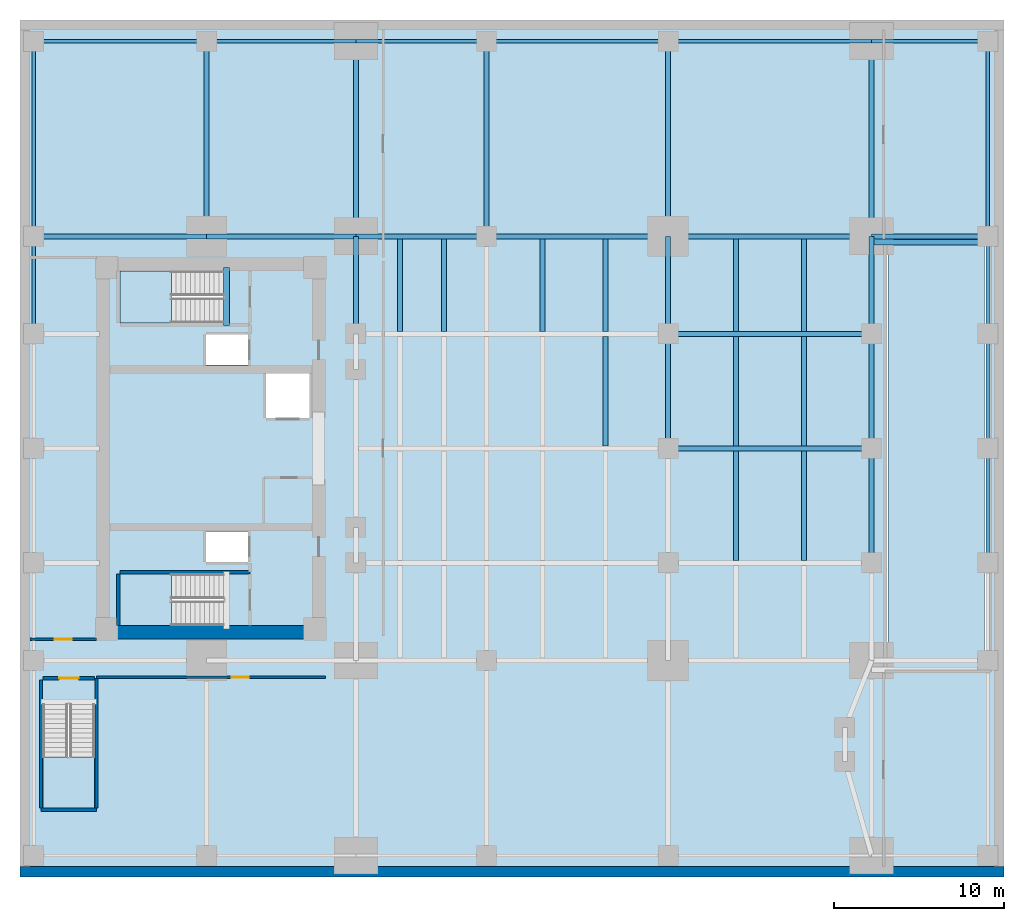
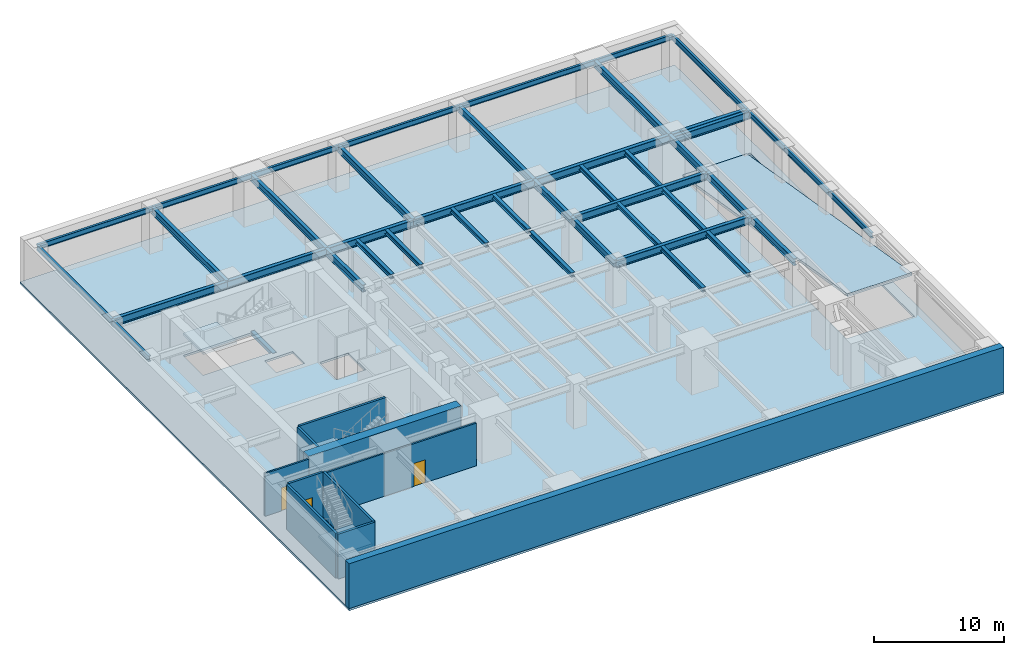
# One storey, part 2 of 5: 44 beams, 10 walls, 5 slabs, 3 doors, 3 openings, 3 elements without a shape of their own.
"""IFC4 building model written with IfcOpenShell, lengths in metres."""

from ifc_helpers import new_model, si_unit, direction, frame, frame_2d, origin, origin_2d, place, context, subcontext, project, spatial, polyline, rectangle, i_section, outline, extrude, material, layer, layer_set, material_profile, profile_set, type_object, element, fill, aggregate, save


model = new_model("IFC4")

# Units and contexts
model_context = context("Model", 3, precision=1e-05, world=origin(), true_north=direction((0.0, 1.0)))
body_context = subcontext(model_context, "Body", "Model", "MODEL_VIEW")
ifc_project = project(units=[si_unit("LENGTHUNIT", "METRE"), si_unit("AREAUNIT", "SQUARE_METRE"), si_unit("VOLUMEUNIT", "CUBIC_METRE"), si_unit("PLANEANGLEUNIT", "RADIAN"), si_unit("MASSUNIT", "GRAM", prefix="KILO")], contexts=[model_context])

# Site, building, storey
site_placement = place(None, origin())
site = spatial("IfcSite", under=ifc_project, at=site_placement, CompositionType="ELEMENT")
building_placement = place(site_placement, origin())
building = spatial("IfcBuilding", under=site, at=building_placement, Name="Kinhvarn Gate Tower", CompositionType="ELEMENT")
storey_placement = place(building_placement, frame((0.0, 0.0, -9.0)))
storey = spatial("IfcBuildingStorey", under=building, at=storey_placement, Name="B02", CompositionType="ELEMENT", Elevation=-9.0)

# Beams
ifc_material_1 = material(Name="Concrete C50/60", Category="concrete")
ifc_material_profile_1 = material_profile(ifc_material_1, rectangle(XDim=0.340087890625, YDim=0.320068359375, at=origin_2d()), Name="RC 340x320")
ifc_profile_set_1 = profile_set([ifc_material_profile_1], Name="Concrete C50/60")
beam_type_1 = type_object("IfcBeamType", Name="BM-LND-500", PredefinedType="BEAM", material=ifc_profile_set_1)
beam_1_placement = place(storey_placement, frame((12.1650390625, 32.5, -0.159912109375), z_axis=(0.0, 1.0, 0.0), x_axis=(-1.0, 0.0, 0.0)))
element("IfcBeam", 1, at=beam_1_placement, inside=storey, type_object=beam_type_1, Name="Stair ST2 Landing Nosing Beam (B02)", PredefinedType="BEAM", context=body_context, shape_type="SweptSolid", body=[
    extrude(rectangle(XDim=0.340087890625, YDim=0.320068359375, at=origin_2d()), origin(), (0.0, 0.0, 1.0), 3.39990234375),
])
ifc_material_2 = material(Name="Steel S355", Category="steel")
ifc_material_profile_2 = material_profile(ifc_material_2, i_section(OverallWidth=0.300048828125, OverallDepth=0.39990234375, WebThickness=0.013427734375, FlangeThickness=0.02392578125, at=origin_2d()), Name="HEB 400")
ifc_profile_set_2 = profile_set([ifc_material_profile_2], Name="Steel S355")
beam_type_2 = type_object("IfcBeamType", Name="STL-HEB400", PredefinedType="BEAM", material=ifc_profile_set_2)
for number, where, z_axis, x_axis, name in (
    (2, (42.199951171875, 18.64990234375, 3.800048828125), (0.0, 1.0, 0.0), (-1.0, 0.0, 0.0), "Floor Beam PG-12 (B02 J422-18)"),
    (3, (46.199951171875, 18.64990234375, 3.800048828125), (0.0, 1.0, 0.0), (-1.0, 0.0, 0.0), "Floor Beam PG-12 (B02 J462-18)"),
    (4, (34.5, 25.39990234375, 3.800048828125), (0.0, 1.0, 0.0), (-1.0, 0.0, 0.0), "Floor Beam PG-12 (B02 J345-25)"),
    (5, (42.199951171875, 25.39990234375, 3.800048828125), (0.0, 1.0, 0.0), (-1.0, 0.0, 0.0), "Floor Beam PG-12 (B02 J422-25)"),
    (6, (46.199951171875, 25.39990234375, 3.800048828125), (0.0, 1.0, 0.0), (-1.0, 0.0, 0.0), "Floor Beam PG-12 (B02 J462-25)"),
):
    element("IfcBeam", number, at=place(storey_placement, frame(where, z_axis=z_axis, x_axis=x_axis)), inside=storey, type_object=beam_type_2, Name=name, PredefinedType="BEAM", context=body_context, shape_type="SweptSolid", body=[
        extrude(i_section(OverallWidth=0.300048828125, OverallDepth=0.39990234375, WebThickness=0.013427734375, FlangeThickness=0.02392578125, at=origin_2d()), origin(), (0.0, 0.0, 1.0), 6.4501953125),
    ])
for number, where, z_axis, x_axis, name in (
    (7, (22.39990234375, 32.14990234375, 3.800048828125), (0.0, 1.0, 0.0), (-1.0, 0.0, 0.0), "Floor Beam PG-12 (B02 J224-32)"),
    (8, (25.0, 32.14990234375, 3.800048828125), (0.0, 1.0, 0.0), (-1.0, 0.0, 0.0), "Floor Beam PG-12 (B02 J250-32)"),
    (9, (30.800048828125, 32.14990234375, 3.800048828125), (0.0, 1.0, 0.0), (-1.0, 0.0, 0.0), "Floor Beam PG-12 (B02 J308-32)"),
    (10, (34.5, 32.14990234375, 3.800048828125), (0.0, 1.0, 0.0), (-1.0, 0.0, 0.0), "Floor Beam PG-12 (B02 J345-32)"),
    (11, (42.199951171875, 32.14990234375, 3.800048828125), (0.0, 1.0, 0.0), (-1.0, 0.0, 0.0), "Floor Beam PG-12 (B02 J422-32)"),
    (12, (46.199951171875, 32.14990234375, 3.800048828125), (0.0, 1.0, 0.0), (-1.0, 0.0, 0.0), "Floor Beam PG-12 (B02 J462-32)"),
):
    element("IfcBeam", number, at=place(storey_placement, frame(where, z_axis=z_axis, x_axis=x_axis)), inside=storey, type_object=beam_type_2, Name=name, PredefinedType="BEAM", context=body_context, shape_type="SweptSolid", body=[
        extrude(i_section(OverallWidth=0.300048828125, OverallDepth=0.39990234375, WebThickness=0.013427734375, FlangeThickness=0.02392578125, at=origin_2d()), origin(), (0.0, 0.0, 1.0), 5.4501953125),
    ])
ifc_material_profile_3 = material_profile(ifc_material_2, i_section(OverallWidth=0.300048828125, OverallDepth=0.64990234375, WebThickness=0.01611328125, FlangeThickness=0.031005859375, at=origin_2d()), Name="HEB 650")
ifc_profile_set_3 = profile_set([ifc_material_profile_3], Name="Steel S355")
beam_type_3 = type_object("IfcBeamType", Name="STL-HEB650", PredefinedType="BEAM", material=ifc_profile_set_3)
beam_2_placement = place(storey_placement, frame((11.0, 37.75, 3.675048828125), z_axis=(0.0, 1.0, 0.0), x_axis=(-1.0, 0.0, 0.0)))
element("IfcBeam", 13, at=beam_2_placement, inside=storey, type_object=beam_type_3, Name="Floor Beam PG-17 (B02 NS11-N)", PredefinedType="BEAM", context=body_context, shape_type="SweptSolid", body=[
    extrude(i_section(OverallWidth=0.300048828125, OverallDepth=0.64990234375, WebThickness=0.01611328125, FlangeThickness=0.031005859375, at=origin_2d()), origin(), (0.0, 0.0, 1.0), 11.5),
])
beam_3_placement = place(storey_placement, frame((19.800048828125, 32.0, 3.675048828125), z_axis=(0.0, 1.0, 0.0), x_axis=(-1.0, 0.0, 0.0)))
element("IfcBeam", 14, at=beam_3_placement, inside=storey, type_object=beam_type_3, Name="Floor Beam PG-17 (B02 APW-6)", PredefinedType="BEAM", context=body_context, shape_type="SweptSolid", body=[
    extrude(i_section(OverallWidth=0.300048828125, OverallDepth=0.64990234375, WebThickness=0.01611328125, FlangeThickness=0.031005859375, at=origin_2d()), origin(), (0.0, 0.0, 1.0), 5.75),
])
beam_4_placement = place(storey_placement, frame((19.800048828125, 37.75, 3.675048828125), z_axis=(0.0, 1.0, 0.0), x_axis=(-1.0, 0.0, 0.0)))
element("IfcBeam", 15, at=beam_4_placement, inside=storey, type_object=beam_type_3, Name="Floor Beam PG-17 (B02 APW-7)", PredefinedType="BEAM", context=body_context, shape_type="SweptSolid", body=[
    extrude(i_section(OverallWidth=0.300048828125, OverallDepth=0.64990234375, WebThickness=0.01611328125, FlangeThickness=0.031005859375, at=origin_2d()), origin(), (0.0, 0.0, 1.0), 11.5),
])
for number, where, z_axis, x_axis, name in (
    (16, (50.199951171875, 18.5, 3.675048828125), (0.0, 1.0, 0.0), (-1.0, 0.0, 0.0), "Floor Beam PG-17 (B02 APE-3)"),
    (17, (50.199951171875, 25.25, 3.675048828125), (0.0, 1.0, 0.0), (-1.0, 0.0, 0.0), "Floor Beam PG-17 (B02 APE-4)"),
):
    element("IfcBeam", number, at=place(storey_placement, frame(where, z_axis=z_axis, x_axis=x_axis)), inside=storey, type_object=beam_type_3, Name=name, PredefinedType="BEAM", context=body_context, shape_type="SweptSolid", body=[
        extrude(i_section(OverallWidth=0.300048828125, OverallDepth=0.64990234375, WebThickness=0.01611328125, FlangeThickness=0.031005859375, at=origin_2d()), origin(), (0.0, 0.0, 1.0), 6.75),
    ])
beam_5_placement = place(storey_placement, frame((50.199951171875, 32.0, 3.675048828125), z_axis=(0.0, 1.0, 0.0), x_axis=(-1.0, 0.0, 0.0)))
element("IfcBeam", 18, at=beam_5_placement, inside=storey, type_object=beam_type_3, Name="Floor Beam PG-17 (B02 APE-5)", PredefinedType="BEAM", context=body_context, shape_type="SweptSolid", body=[
    extrude(i_section(OverallWidth=0.300048828125, OverallDepth=0.64990234375, WebThickness=0.01611328125, FlangeThickness=0.031005859375, at=origin_2d()), origin(), (0.0, 0.0, 1.0), 5.75),
])
for number, where, z_axis, x_axis, name in (
    (19, (50.199951171875, 37.75, 3.675048828125), (0.0, 1.0, 0.0), (-1.0, 0.0, 0.0), "Floor Beam PG-17 (B02 APE-6)"),
    (20, (27.5, 37.75, 3.675048828125), (0.0, 1.0, 0.0), (-1.0, 0.0, 0.0), "Floor Beam PG-17 (B02 NS27-N)"),
    (21, (38.199951171875, 37.75, 3.675048828125), (0.0, 1.0, 0.0), (-1.0, 0.0, 0.0), "Floor Beam PG-17 (B02 NS38-N)"),
):
    element("IfcBeam", number, at=place(storey_placement, frame(where, z_axis=z_axis, x_axis=x_axis)), inside=storey, type_object=beam_type_3, Name=name, PredefinedType="BEAM", context=body_context, shape_type="SweptSolid", body=[
        extrude(i_section(OverallWidth=0.300048828125, OverallDepth=0.64990234375, WebThickness=0.01611328125, FlangeThickness=0.031005859375, at=origin_2d()), origin(), (0.0, 0.0, 1.0), 11.5),
    ])
beam_6_placement = place(storey_placement, frame((38.199951171875, 25.25, 3.675048828125), z_axis=(0.0, 1.0, 0.0), x_axis=(-1.0, 0.0, 0.0)))
element("IfcBeam", 22, at=beam_6_placement, inside=storey, type_object=beam_type_3, Name="Floor Beam PG-17 (B02 NS38-25)", PredefinedType="BEAM", context=body_context, shape_type="SweptSolid", body=[
    extrude(i_section(OverallWidth=0.300048828125, OverallDepth=0.64990234375, WebThickness=0.01611328125, FlangeThickness=0.031005859375, at=origin_2d()), origin(), (0.0, 0.0, 1.0), 6.75),
])
beam_7_placement = place(storey_placement, frame((38.199951171875, 32.0, 3.675048828125), z_axis=(0.0, 1.0, 0.0), x_axis=(-1.0, 0.0, 0.0)))
element("IfcBeam", 23, at=beam_7_placement, inside=storey, type_object=beam_type_3, Name="Floor Beam PG-17 (B02 NS38-32)", PredefinedType="BEAM", context=body_context, shape_type="SweptSolid", body=[
    extrude(i_section(OverallWidth=0.300048828125, OverallDepth=0.64990234375, WebThickness=0.01611328125, FlangeThickness=0.031005859375, at=origin_2d()), origin(), (0.0, 0.0, 1.0), 5.75),
])
ifc_material_profile_4 = material_profile(ifc_material_2, i_section(OverallWidth=0.300048828125, OverallDepth=0.699951171875, WebThickness=0.01708984375, FlangeThickness=0.031982421875, at=origin_2d()), Name="HEB 700")
ifc_profile_set_4 = profile_set([ifc_material_profile_4], Name="Steel S355")
beam_type_4 = type_object("IfcBeamType", Name="STL-HEB700", PredefinedType="BEAM", material=ifc_profile_set_4)
beam_8_placement = place(storey_placement, frame((0.800048828125, 37.75, 3.64990234375), z_axis=(1.0, 0.0, 0.0), x_axis=(0.0, 1.0, 0.0)))
element("IfcBeam", 24, at=beam_8_placement, inside=storey, type_object=beam_type_4, Name="Floor Beam PG-18 (B02 SPN-1)", PredefinedType="BEAM", context=body_context, shape_type="SweptSolid", body=[
    extrude(i_section(OverallWidth=0.300048828125, OverallDepth=0.699951171875, WebThickness=0.01708984375, FlangeThickness=0.031982421875, at=origin_2d()), origin(), (0.0, 0.0, 1.0), 10.199951171875),
])
beam_9_placement = place(storey_placement, frame((11.0, 37.75, 3.64990234375), z_axis=(1.0, 0.0, 0.0), x_axis=(0.0, 1.0, 0.0)))
element("IfcBeam", 25, at=beam_9_placement, inside=storey, type_object=beam_type_4, Name="Floor Beam PG-18 (B02 SPN-2)", PredefinedType="BEAM", context=body_context, shape_type="SweptSolid", body=[
    extrude(i_section(OverallWidth=0.300048828125, OverallDepth=0.699951171875, WebThickness=0.01708984375, FlangeThickness=0.031982421875, at=origin_2d()), origin(), (0.0, 0.0, 1.0), 8.800048828125),
])
for number, where, z_axis, x_axis, name in (
    (26, (50.199951171875, 37.75, 3.64990234375), (1.0, 0.0, 0.0), (0.0, 1.0, 0.0), "Floor Beam PG-18 (B02 SPN-E)"),
    (27, (50.199951171875, 37.39990234375, 3.64990234375), (1.0, 0.0, 0.0), (0.0, 1.0, 0.0), "Floor Beam PG-18 (B02 RMP-TRM-2)"),
):
    element("IfcBeam", number, at=place(storey_placement, frame(where, z_axis=z_axis, x_axis=x_axis)), inside=storey, type_object=beam_type_4, Name=name, PredefinedType="BEAM", context=body_context, shape_type="SweptSolid", body=[
        extrude(i_section(OverallWidth=0.300048828125, OverallDepth=0.699951171875, WebThickness=0.01708984375, FlangeThickness=0.031982421875, at=origin_2d()), origin(), (0.0, 0.0, 1.0), 6.85009765625),
    ])
beam_10_placement = place(storey_placement, frame((19.800048828125, 37.75, 3.64990234375), z_axis=(1.0, 0.0, 0.0), x_axis=(0.0, 1.0, 0.0)))
element("IfcBeam", 28, at=beam_10_placement, inside=storey, type_object=beam_type_4, Name="Floor Beam PG-18 (B02 BM-N1)", PredefinedType="BEAM", context=body_context, shape_type="SweptSolid", body=[
    extrude(i_section(OverallWidth=0.300048828125, OverallDepth=0.699951171875, WebThickness=0.01708984375, FlangeThickness=0.031982421875, at=origin_2d()), origin(), (0.0, 0.0, 1.0), 7.699951171875),
])
beam_11_placement = place(storey_placement, frame((27.5, 37.75, 3.64990234375), z_axis=(1.0, 0.0, 0.0), x_axis=(0.0, 1.0, 0.0)))
element("IfcBeam", 29, at=beam_11_placement, inside=storey, type_object=beam_type_4, Name="Floor Beam PG-18 (B02 BM-N2)", PredefinedType="BEAM", context=body_context, shape_type="SweptSolid", body=[
    extrude(i_section(OverallWidth=0.300048828125, OverallDepth=0.699951171875, WebThickness=0.01708984375, FlangeThickness=0.031982421875, at=origin_2d()), origin(), (0.0, 0.0, 1.0), 10.699951171875),
])
for number, where, z_axis, x_axis, name in (
    (30, (38.199951171875, 37.75, 3.64990234375), (1.0, 0.0, 0.0), (0.0, 1.0, 0.0), "Floor Beam PG-18 (B02 BM-N3)"),
    (31, (38.199951171875, 25.25, 3.64990234375), (1.0, 0.0, 0.0), (0.0, 1.0, 0.0), "Floor Beam PG-18 (B02 BM-EW2-25)"),
    (32, (38.199951171875, 32.0, 3.64990234375), (1.0, 0.0, 0.0), (0.0, 1.0, 0.0), "Floor Beam PG-18 (B02 BM-EW2-32)"),
):
    element("IfcBeam", number, at=place(storey_placement, frame(where, z_axis=z_axis, x_axis=x_axis)), inside=storey, type_object=beam_type_4, Name=name, PredefinedType="BEAM", context=body_context, shape_type="SweptSolid", body=[
        extrude(i_section(OverallWidth=0.300048828125, OverallDepth=0.699951171875, WebThickness=0.01708984375, FlangeThickness=0.031982421875, at=origin_2d()), origin(), (0.0, 0.0, 1.0), 12.0),
    ])
ifc_material_profile_5 = material_profile(ifc_material_2, i_section(OverallWidth=0.199951171875, OverallDepth=0.5, WebThickness=0.01025390625, FlangeThickness=0.01611328125, at=origin_2d()), Name="IPE 500")
ifc_profile_set_5 = profile_set([ifc_material_profile_5], Name="Steel S355")
beam_type_5 = type_object("IfcBeamType", Name="STL-IPE500", PredefinedType="SPANDREL", material=ifc_profile_set_5)
for number, where, z_axis, x_axis, name in (
    (33, (57.050048828125, 18.5, 3.75), (0.0, 1.0, 0.0), (-1.0, 0.0, 0.0), "Floor Spandrel SB-07 (B02 PERE-3)"),
    (34, (57.050048828125, 25.25, 3.75), (0.0, 1.0, 0.0), (-1.0, 0.0, 0.0), "Floor Spandrel SB-07 (B02 PERE-4)"),
):
    element("IfcBeam", number, at=place(storey_placement, frame(where, z_axis=z_axis, x_axis=x_axis)), inside=storey, type_object=beam_type_5, Name=name, PredefinedType="SPANDREL", context=body_context, shape_type="SweptSolid", body=[
        extrude(i_section(OverallWidth=0.199951171875, OverallDepth=0.5, WebThickness=0.01025390625, FlangeThickness=0.01611328125, at=origin_2d()), origin(), (0.0, 0.0, 1.0), 6.75),
    ])
for number, where, z_axis, x_axis, name in (
    (35, (0.800048828125, 32.0, 3.75), (0.0, 1.0, 0.0), (-1.0, 0.0, 0.0), "Floor Spandrel SB-07 (B02 PERW-5)"),
    (36, (57.050048828125, 32.0, 3.75), (0.0, 1.0, 0.0), (-1.0, 0.0, 0.0), "Floor Spandrel SB-07 (B02 PERE-5)"),
):
    element("IfcBeam", number, at=place(storey_placement, frame(where, z_axis=z_axis, x_axis=x_axis)), inside=storey, type_object=beam_type_5, Name=name, PredefinedType="SPANDREL", context=body_context, shape_type="SweptSolid", body=[
        extrude(i_section(OverallWidth=0.199951171875, OverallDepth=0.5, WebThickness=0.01025390625, FlangeThickness=0.01611328125, at=origin_2d()), origin(), (0.0, 0.0, 1.0), 5.75),
    ])
for number, where, z_axis, x_axis, name in (
    (37, (0.800048828125, 37.75, 3.75), (0.0, 1.0, 0.0), (-1.0, 0.0, 0.0), "Floor Spandrel SB-07 (B02 PERW-6)"),
    (38, (57.050048828125, 37.75, 3.75), (0.0, 1.0, 0.0), (-1.0, 0.0, 0.0), "Floor Spandrel SB-07 (B02 PERE-6)"),
):
    element("IfcBeam", number, at=place(storey_placement, frame(where, z_axis=z_axis, x_axis=x_axis)), inside=storey, type_object=beam_type_5, Name=name, PredefinedType="SPANDREL", context=body_context, shape_type="SweptSolid", body=[
        extrude(i_section(OverallWidth=0.199951171875, OverallDepth=0.5, WebThickness=0.01025390625, FlangeThickness=0.01611328125, at=origin_2d()), origin(), (0.0, 0.0, 1.0), 11.5),
    ])
beam_12_placement = place(storey_placement, frame((0.800048828125, 49.25, 3.75), z_axis=(1.0, 0.0, 0.0), x_axis=(0.0, 1.0, 0.0)))
element("IfcBeam", 39, at=beam_12_placement, inside=storey, type_object=beam_type_5, Name="Floor Spandrel SB-07 (B02 SP-POD-NW1)", PredefinedType="SPANDREL", context=body_context, shape_type="SweptSolid", body=[
    extrude(i_section(OverallWidth=0.199951171875, OverallDepth=0.5, WebThickness=0.01025390625, FlangeThickness=0.01611328125, at=origin_2d()), origin(), (0.0, 0.0, 1.0), 10.199951171875),
])
beam_13_placement = place(storey_placement, frame((11.0, 49.25, 3.75), z_axis=(1.0, 0.0, 0.0), x_axis=(0.0, 1.0, 0.0)))
element("IfcBeam", 40, at=beam_13_placement, inside=storey, type_object=beam_type_5, Name="Floor Spandrel SB-07 (B02 SP-POD-NW2)", PredefinedType="SPANDREL", context=body_context, shape_type="SweptSolid", body=[
    extrude(i_section(OverallWidth=0.199951171875, OverallDepth=0.5, WebThickness=0.01025390625, FlangeThickness=0.01611328125, at=origin_2d()), origin(), (0.0, 0.0, 1.0), 8.800048828125),
])
beam_14_placement = place(storey_placement, frame((50.199951171875, 49.25, 3.75), z_axis=(1.0, 0.0, 0.0), x_axis=(0.0, 1.0, 0.0)))
element("IfcBeam", 41, at=beam_14_placement, inside=storey, type_object=beam_type_5, Name="Floor Spandrel SB-07 (B02 SP-POD-NE)", PredefinedType="SPANDREL", context=body_context, shape_type="SweptSolid", body=[
    extrude(i_section(OverallWidth=0.199951171875, OverallDepth=0.5, WebThickness=0.01025390625, FlangeThickness=0.01611328125, at=origin_2d()), origin(), (0.0, 0.0, 1.0), 6.85009765625),
])
beam_15_placement = place(storey_placement, frame((19.800048828125, 49.25, 3.75), z_axis=(1.0, 0.0, 0.0), x_axis=(0.0, 1.0, 0.0)))
element("IfcBeam", 42, at=beam_15_placement, inside=storey, type_object=beam_type_5, Name="Floor Spandrel SB-07 (B02 BN-SP1)", PredefinedType="SPANDREL", context=body_context, shape_type="SweptSolid", body=[
    extrude(i_section(OverallWidth=0.199951171875, OverallDepth=0.5, WebThickness=0.01025390625, FlangeThickness=0.01611328125, at=origin_2d()), origin(), (0.0, 0.0, 1.0), 7.699951171875),
])
beam_16_placement = place(storey_placement, frame((27.5, 49.25, 3.75), z_axis=(1.0, 0.0, 0.0), x_axis=(0.0, 1.0, 0.0)))
element("IfcBeam", 43, at=beam_16_placement, inside=storey, type_object=beam_type_5, Name="Floor Spandrel SB-07 (B02 BN-SP2)", PredefinedType="SPANDREL", context=body_context, shape_type="SweptSolid", body=[
    extrude(i_section(OverallWidth=0.199951171875, OverallDepth=0.5, WebThickness=0.01025390625, FlangeThickness=0.01611328125, at=origin_2d()), origin(), (0.0, 0.0, 1.0), 10.699951171875),
])
beam_17_placement = place(storey_placement, frame((38.199951171875, 49.25, 3.75), z_axis=(1.0, 0.0, 0.0), x_axis=(0.0, 1.0, 0.0)))
element("IfcBeam", 44, at=beam_17_placement, inside=storey, type_object=beam_type_5, Name="Floor Spandrel SB-07 (B02 BN-SP3)", PredefinedType="SPANDREL", context=body_context, shape_type="SweptSolid", body=[
    extrude(i_section(OverallWidth=0.199951171875, OverallDepth=0.5, WebThickness=0.01025390625, FlangeThickness=0.01611328125, at=origin_2d()), origin(), (0.0, 0.0, 1.0), 12.0),
])

# Slabs
ifc_material_3 = material(Name="Concrete C40/50", Category="concrete")
ifc_layer_1 = layer(ifc_material_3, 0.199951171875)
ifc_layer_set_1 = layer_set([ifc_layer_1], Name="Concrete C40/50")
slab_type_1 = type_object("IfcSlabType", Name="SLB-FLR-200", PredefinedType="FLOOR", material=ifc_layer_set_1)
slab_1_placement = place(storey_placement, frame((0.0, 0.0, -0.199951171875)))
element("IfcSlab", 45, at=slab_1_placement, inside=storey, type_object=slab_type_1, Name="Suspended Floor Slab B02", PredefinedType="FLOOR", context=body_context, shape_type="SweptSolid", body=[
    extrude(outline(polyline([(0.0, 0.0), (58.0, 0.0), (58.0, 50.5), (0.0, 50.5), (0.0, 0.0)]), holes=[polyline([(5.89990234375, 14.800048828125), (12.0, 14.800048828125), (12.0, 17.85009765625), (5.89990234375, 17.85009765625), (5.89990234375, 14.800048828125)]), polyline([(5.89990234375, 32.64990234375), (12.0, 32.64990234375), (12.0, 35.699951171875), (5.89990234375, 35.699951171875), (5.89990234375, 32.64990234375)]), polyline([(1.35009765625, 4.050048828125), (4.39990234375, 4.050048828125), (4.39990234375, 10.14990234375), (1.35009765625, 10.14990234375), (1.35009765625, 4.050048828125)]), polyline([(14.5, 27.050048828125), (17.050048828125, 27.050048828125), (17.050048828125, 29.64990234375), (14.5, 29.64990234375), (14.5, 27.050048828125)]), polyline([(10.949951171875, 18.550048828125), (13.449951171875, 18.550048828125), (13.449951171875, 20.35009765625), (10.949951171875, 20.35009765625), (10.949951171875, 18.550048828125)]), polyline([(10.949951171875, 30.14990234375), (13.449951171875, 30.14990234375), (13.449951171875, 31.949951171875), (10.949951171875, 31.949951171875), (10.949951171875, 30.14990234375)]), polyline([(51.10009765625, 12.199951171875), (57.10009765625, 12.199951171875), (57.10009765625, 37.39990234375), (51.10009765625, 37.39990234375), (51.10009765625, 12.199951171875)])]), origin(), (0.0, 0.0, 1.0), 0.199951171875),
])
ifc_layer_2 = layer(ifc_material_1, 0.25)
ifc_layer_set_2 = layer_set([ifc_layer_2], Name="Concrete C50/60")
slab_type_2 = type_object("IfcSlabType", Name="SLB-RMP-250", PredefinedType="FLOOR", material=ifc_layer_set_2)
slab_2_placement = place(storey_placement, frame((51.14990234375, 12.14990234375, 4.199951171875), z_axis=(0.0, 0.16376448943, 0.986499463762), x_axis=(1.0, 0.0, 0.0)))
element("IfcSlab", 46, at=slab_2_placement, inside=storey, type_object=slab_type_2, Name="Basement Car Park Vehicle Ramp Slab VR-01 (B02)", PredefinedType="FLOOR", context=body_context, shape_type="SweptSolid", body=[
    extrude(outline(polyline([(0.0, 0.0), (5.7001953125, 0.0), (5.7001953125, 25.646240234375), (0.0, 25.646240234375), (0.0, 0.0)])), origin(), (0.0, 0.0, -1.0), 0.25),
])

# Stair, slab
stair_type = type_object("IfcStairType", Name="STR-DLG-175", PredefinedType="HALF_TURN_STAIR", material=ifc_material_3)
stair_1_placement = place(storey_placement, origin())
stair_1 = element("IfcStair", 47, at=stair_1_placement, inside=storey, type_object=stair_type, Name="B02 Core Smokeproof Exit Stair ST1", PredefinedType="HALF_TURN_STAIR")
ifc_layer_3 = layer(ifc_material_3, 0.199951171875)
ifc_layer_set_3 = layer_set([ifc_layer_3], Name="Concrete C40/50")
slab_type_3 = type_object("IfcSlabType", Name="SLB-ST-LND", PredefinedType="LANDING", material=ifc_layer_set_3)
slab_3_placement = place(storey_placement, frame((0.0, 0.0, 1.89990234375)))
slab_3 = element("IfcSlab", 48, at=slab_3_placement, type_object=slab_type_3, Name="ST1 landing 1", PredefinedType="LANDING", context=body_context, shape_type="SweptSolid", body=[
    extrude(outline(polyline([(8.919921875, 17.85009765625), (5.89990234375, 17.85009765625), (5.89990234375, 14.800048828125), (8.919921875, 14.800048828125), (8.919921875, 17.85009765625)])), origin(), (0.0, 0.0, 1.0), 0.2001953125),
])
aggregate(stair_1, [slab_3])

stair_2_placement = place(storey_placement, origin())
stair_2 = element("IfcStair", 49, at=stair_2_placement, inside=storey, type_object=stair_type, Name="B02 Core Smokeproof Exit Stair ST2", PredefinedType="HALF_TURN_STAIR")
slab_4_placement = place(storey_placement, frame((0.0, 0.0, 1.89990234375)))
slab_4 = element("IfcSlab", 50, at=slab_4_placement, type_object=slab_type_3, Name="ST2 landing 1", PredefinedType="LANDING", context=body_context, shape_type="SweptSolid", body=[
    extrude(outline(polyline([(8.919921875, 35.699951171875), (5.89990234375, 35.699951171875), (5.89990234375, 32.64990234375), (8.919921875, 32.64990234375), (8.919921875, 35.699951171875)])), origin(), (0.0, 0.0, 1.0), 0.2001953125),
])
aggregate(stair_2, [slab_4])

stair_3_placement = place(storey_placement, origin())
stair_3 = element("IfcStair", 51, at=stair_3_placement, inside=storey, type_object=stair_type, Name="B02 Podium & Basement Protected Exit Stair ST3", PredefinedType="HALF_TURN_STAIR")
slab_5_placement = place(storey_placement, frame((0.0, 0.0, 1.89990234375)))
slab_5 = element("IfcSlab", 52, at=slab_5_placement, type_object=slab_type_3, Name="ST3 landing 1", PredefinedType="LANDING", context=body_context, shape_type="SweptSolid", body=[
    extrude(outline(polyline([(1.35009765625, 7.070068359375), (1.35009765625, 4.050048828125), (4.39990234375, 4.050048828125), (4.39990234375, 7.070068359375), (1.35009765625, 7.070068359375)])), origin(), (0.0, 0.0, 1.0), 0.2001953125),
])
aggregate(stair_3, [slab_5])

# Wall
ifc_material_4 = material(Name="Concrete C70/85", Category="concrete")
ifc_layer_4 = layer(ifc_material_4, 0.800048828125)
ifc_layer_set_4 = layer_set([ifc_layer_4], Name="Concrete C70/85")
wall_type_1 = type_object("IfcWallType", Name="WL-CORE-800", PredefinedType="SHEAR", material=ifc_layer_set_4)
wall_1_placement = place(storey_placement, frame((4.5, 14.39990234375, 0.0), z_axis=(0.0, 0.0, 1.0), x_axis=(1.0, 0.0, 0.0)))
element("IfcWall", 53, at=wall_1_placement, inside=storey, type_object=wall_type_1, Name="Core South Shear Wall B02 800 mm", PredefinedType="SHEAR", context=body_context, shape_type="SweptSolid", body=[
    extrude(rectangle(XDim=13.5, YDim=0.800048828125, at=frame_2d((6.75, 0.0))), origin(), (0.0, 0.0, 1.0), 4.199951171875),
])

# Wall, opening, door
ifc_material_5 = material(Name="Gypsum acoustic partition board")
ifc_layer_5 = layer(ifc_material_5, 0.14990234375)
ifc_layer_set_5 = layer_set([ifc_layer_5], Name="Gypsum acoustic partition board")
wall_type_2 = type_object("IfcWallType", Name="WL-PRT-150F", PredefinedType="PARTITIONING", material=ifc_layer_set_5)
wall_2_placement = place(storey_placement, frame((4.52001953125, 11.75, 0.0), z_axis=(0.0, 0.0, 1.0), x_axis=(1.0, 0.0, 0.0)))
wall_2 = element("IfcWall", 54, at=wall_2_placement, inside=storey, type_object=wall_type_2, Name="Interior Partition PW-150F (B02)", PredefinedType="PARTITIONING", context=body_context, shape_type="SweptSolid", body=[
    extrude(rectangle(XDim=13.47998046875, YDim=0.14990234375, at=frame_2d((6.739990234375, 0.0))), origin(), (0.0, 0.0, 1.0), 4.0),
])
opening_1_placement = place(wall_2_placement, frame((7.9609375, 0.0, 0.0)))
opening_1 = element("IfcOpeningElement", 55, at=opening_1_placement, cuts=wall_2, Name="Opening FD-03", PredefinedType="OPENING", context=body_context, shape_type="SweptSolid", body=[
    extrude(rectangle(XDim=1.0, YDim=2.14990234375, at=frame_2d((0.5, 1.074951171875))), frame((0.0, 0.0849609375, 0.0), z_axis=(0.0, -1.0, 0.0), x_axis=(1.0, 0.0, 0.0)), (0.0, 0.0, 1.0), 0.169921875),
])
ifc_material_6 = material(Name="Anodised aluminium AW-6063", Category="aluminium")
door_type_1 = type_object("IfcDoorType", Name="DR-FD-1000", OperationType="NOTDEFINED", PredefinedType="DOOR", material=ifc_material_6)
door_1_placement = place(opening_1_placement, origin())
door_1 = element("IfcDoor", 56, at=door_1_placement, inside=storey, type_object=door_type_1, Name="Rated Plant & Corridor Fire Door 1000x2150 mm (B02)", OperationType="SINGLE_SWING_LEFT", OverallHeight=2.14990234375, OverallWidth=1.0, PredefinedType="DOOR", context=body_context, shape_type="SweptSolid", body=[
    extrude(rectangle(XDim=1.0, YDim=2.14990234375, at=frame_2d((0.5, 1.074951171875))), frame((0.0, 0.02490234375, 0.0), z_axis=(0.0, -1.0, 0.0), x_axis=(1.0, 0.0, 0.0)), (0.0, 0.0, 1.0), 0.050048828125),
])
fill(opening_1, door_1)

wall_3_placement = place(storey_placement, frame((0.60009765625, 14.0, 0.0), z_axis=(0.0, 0.0, 1.0), x_axis=(1.0, 0.0, 0.0)))
wall_3 = element("IfcWall", 57, at=wall_3_placement, inside=storey, type_object=wall_type_2, Name="Interior Partition PW-150F (B02)", PredefinedType="PARTITIONING", context=body_context, shape_type="SweptSolid", body=[
    extrude(rectangle(XDim=3.89990234375, YDim=0.14990234375, at=frame_2d((1.949951171875, 0.0))), origin(), (0.0, 0.0, 1.0), 4.0),
])
opening_2_placement = place(wall_3_placement, frame((1.449951171875, 0.0, 0.0)))
opening_2 = element("IfcOpeningElement", 58, at=opening_2_placement, cuts=wall_3, Name="Opening FD-03", PredefinedType="OPENING", context=body_context, shape_type="SweptSolid", body=[
    extrude(rectangle(XDim=1.0, YDim=2.14990234375, at=frame_2d((0.5, 1.074951171875))), frame((0.0, 0.0849609375, 0.0), z_axis=(0.0, -1.0, 0.0), x_axis=(1.0, 0.0, 0.0)), (0.0, 0.0, 1.0), 0.169921875),
])
door_2_placement = place(opening_2_placement, origin())
door_2 = element("IfcDoor", 59, at=door_2_placement, inside=storey, type_object=door_type_1, Name="Rated Plant & Corridor Fire Door 1000x2150 mm (B02)", OperationType="SINGLE_SWING_RIGHT", OverallHeight=2.14990234375, OverallWidth=1.0, PredefinedType="DOOR", context=body_context, shape_type="SweptSolid", body=[
    extrude(rectangle(XDim=1.0, YDim=2.14990234375, at=frame_2d((0.5, 1.074951171875))), frame((0.0, 0.02490234375, 0.0), z_axis=(0.0, -1.0, 0.0), x_axis=(1.0, 0.0, 0.0)), (0.0, 0.0, 1.0), 0.050048828125),
])
fill(opening_2, door_2)

# Walls
ifc_layer_6 = layer(ifc_material_1, 0.60009765625)
ifc_layer_set_6 = layer_set([ifc_layer_6], Name="Concrete C50/60")
wall_type_3 = type_object("IfcWallType", Name="WL-RET-600", PredefinedType="USERDEFINED", material=ifc_layer_set_6)
wall_4_placement = place(storey_placement, frame((0.0, 0.300048828125, 0.0), z_axis=(0.0, 0.0, 1.0), x_axis=(1.0, 0.0, 0.0)))
element("IfcWall", 60, at=wall_4_placement, inside=storey, type_object=wall_type_3, Name="South Diaphragm Retaining Wall B02 600 mm", ObjectType="RETAININGWALL", PredefinedType="USERDEFINED", context=body_context, shape_type="SweptSolid", body=[
    extrude(rectangle(XDim=58.0, YDim=0.60009765625, at=frame_2d((29.0, 0.0))), origin(), (0.0, 0.0, 1.0), 4.199951171875),
])
ifc_layer_7 = layer(ifc_material_3, 0.199951171875)
ifc_layer_set_7 = layer_set([ifc_layer_7], Name="Concrete C40/50")
wall_type_4 = type_object("IfcWallType", Name="WL-SHF-200", PredefinedType="SOLIDWALL", material=ifc_layer_set_7)
wall_5_placement = place(storey_placement, frame((5.7900390625, 14.800048828125, 0.0), z_axis=(0.0, 0.0, 1.0), x_axis=(0.0, 1.0, 0.0)))
element("IfcWall", 61, at=wall_5_placement, inside=storey, type_object=wall_type_4, Name="Stair ST1 West Shaft Wall (B02)", PredefinedType="SOLIDWALL", context=body_context, shape_type="SweptSolid", body=[
    extrude(rectangle(XDim=3.050048828125, YDim=0.199951171875, at=frame_2d((1.52490234375, 0.0))), origin(), (0.0, 0.0, 1.0), 4.199951171875),
])
wall_6_placement = place(storey_placement, frame((5.89990234375, 17.9599609375, 0.0), z_axis=(0.0, 0.0, 1.0), x_axis=(1.0, 0.0, 0.0)))
element("IfcWall", 62, at=wall_6_placement, inside=storey, type_object=wall_type_4, Name="Stair ST1 North Shaft Wall (B02)", PredefinedType="SOLIDWALL", context=body_context, shape_type="SweptSolid", body=[
    extrude(rectangle(XDim=7.66015625, YDim=0.199951171875, at=frame_2d((3.830078125, 0.0))), origin(), (0.0, 0.0, 1.0), 4.199951171875),
])
wall_7_placement = place(storey_placement, frame((1.25, 3.949951171875, 0.0), z_axis=(0.0, 0.0, 1.0), x_axis=(1.0, 0.0, 0.0)))
element("IfcWall", 63, at=wall_7_placement, inside=storey, type_object=wall_type_4, Name="Stair ST3 South Shaft Wall (B02)", PredefinedType="SOLIDWALL", context=body_context, shape_type="SweptSolid", body=[
    extrude(rectangle(XDim=3.25, YDim=0.199951171875, at=frame_2d((1.625, 0.0))), origin(), (0.0, 0.0, 1.0), 4.199951171875),
])
wall_8_placement = place(storey_placement, frame((1.239990234375, 4.050048828125, 0.0), z_axis=(0.0, 0.0, 1.0), x_axis=(0.0, 1.0, 0.0)))
element("IfcWall", 64, at=wall_8_placement, inside=storey, type_object=wall_type_4, Name="Stair ST3 West Shaft Wall (B02)", PredefinedType="SOLIDWALL", context=body_context, shape_type="SweptSolid", body=[
    extrude(rectangle(XDim=7.550048828125, YDim=0.199951171875, at=frame_2d((3.77490234375, 0.0))), origin(), (0.0, 0.0, 1.0), 4.199951171875),
])
wall_9_placement = place(storey_placement, frame((4.510009765625, 4.050048828125, 0.0), z_axis=(0.0, 0.0, 1.0), x_axis=(0.0, 1.0, 0.0)))
element("IfcWall", 65, at=wall_9_placement, inside=storey, type_object=wall_type_4, Name="Stair ST3 East Shaft Wall (B02)", PredefinedType="SOLIDWALL", context=body_context, shape_type="SweptSolid", body=[
    extrude(rectangle(XDim=7.64990234375, YDim=0.199951171875, at=frame_2d((3.824951171875, 0.0))), origin(), (0.0, 0.0, 1.0), 4.199951171875),
])

# Wall, opening, door
wall_10_placement = place(storey_placement, frame((1.35009765625, 11.7099609375, 0.0), z_axis=(0.0, 0.0, 1.0), x_axis=(1.0, 0.0, 0.0)))
wall_10 = element("IfcWall", 66, at=wall_10_placement, inside=storey, type_object=wall_type_4, Name="Stair ST3 North Entry Wall (B02)", PredefinedType="SOLIDWALL", context=body_context, shape_type="SweptSolid", body=[
    extrude(rectangle(XDim=3.0498046875, YDim=0.199951171875, at=frame_2d((1.52490234375, 0.0))), origin(), (0.0, 0.0, 1.0), 4.199951171875),
])
opening_3_placement = place(wall_10_placement, frame((0.949951171875, 0.0, 0.0)))
opening_3 = element("IfcOpeningElement", 67, at=opening_3_placement, cuts=wall_10, Name="Opening FD-01", PredefinedType="OPENING", context=body_context, shape_type="SweptSolid", body=[
    extrude(rectangle(XDim=1.14990234375, YDim=2.14990234375, at=frame_2d((0.574951171875, 1.074951171875))), frame((0.0, 0.10986328125, 0.0), z_axis=(0.0, -1.0, 0.0), x_axis=(1.0, 0.0, 0.0)), (0.0, 0.0, 1.0), 0.219970703125),
])
door_type_2 = type_object("IfcDoorType", Name="DR-ST-1150", OperationType="NOTDEFINED", PredefinedType="DOOR", material=ifc_material_6)
door_3_placement = place(opening_3_placement, origin())
door_3 = element("IfcDoor", 68, at=door_3_placement, inside=storey, type_object=door_type_2, Name="Exit Stair ST3 Fire Door (B02)", OperationType="SINGLE_SWING_LEFT", OverallHeight=2.14990234375, OverallWidth=1.14990234375, PredefinedType="DOOR", context=body_context, shape_type="SweptSolid", body=[
    extrude(rectangle(XDim=1.14990234375, YDim=2.14990234375, at=frame_2d((0.574951171875, 1.074951171875))), frame((0.0, 0.02490234375, 0.0), z_axis=(0.0, -1.0, 0.0), x_axis=(1.0, 0.0, 0.0)), (0.0, 0.0, 1.0), 0.050048828125),
])
fill(opening_3, door_3)

save(model, "model.ifc")
